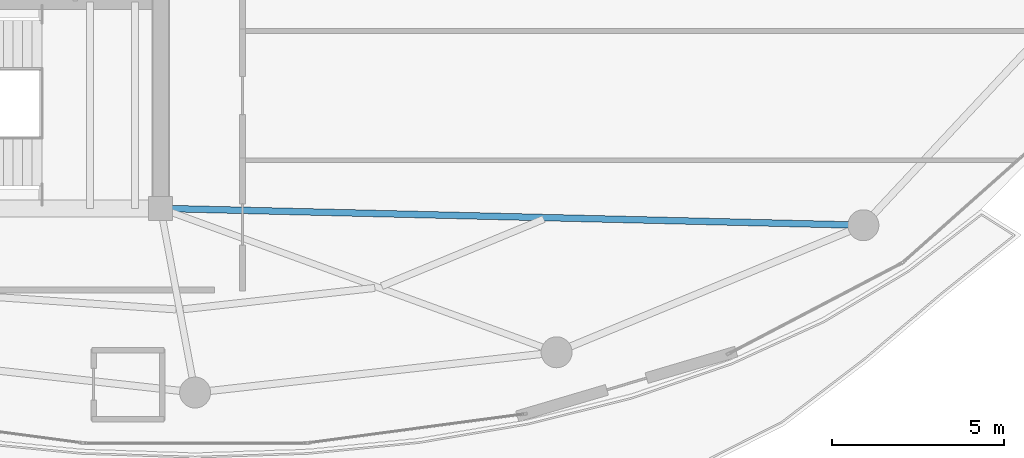
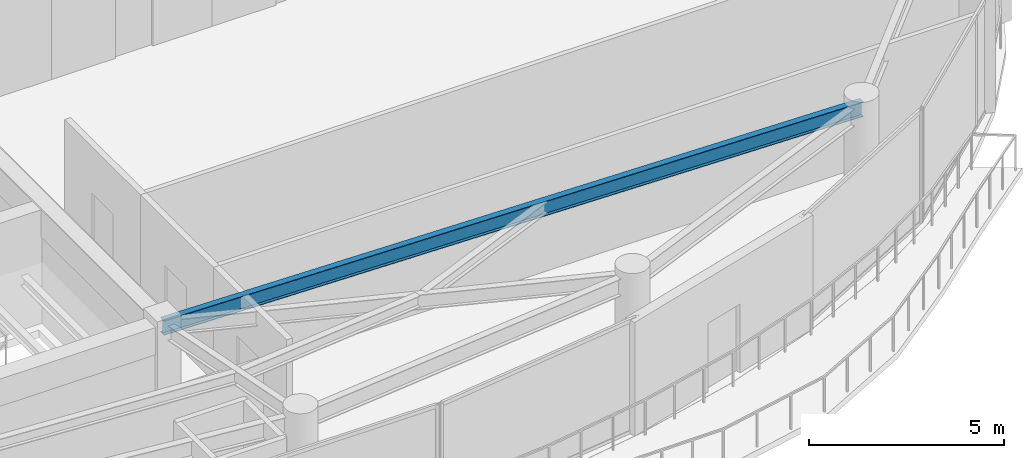
# One storey, part 12 of 29: 1 beam.
"""IFC4 building model written with IfcOpenShell, lengths in metres."""

from ifc_helpers import new_model, si_unit, direction, frame, origin, origin_2d, place, context, subcontext, project, spatial, i_section, extrude, material, material_profile, profile_set, type_object, element, save


model = new_model("IFC4")

# Units and contexts
model_context = context("Model", 3, precision=1e-05, world=origin(), true_north=direction((0.0, 1.0)))
body_context = subcontext(model_context, "Body", "Model", "MODEL_VIEW")
ifc_project = project(units=[si_unit("LENGTHUNIT", "METRE"), si_unit("AREAUNIT", "SQUARE_METRE"), si_unit("VOLUMEUNIT", "CUBIC_METRE"), si_unit("PLANEANGLEUNIT", "RADIAN"), si_unit("MASSUNIT", "GRAM", prefix="KILO")], contexts=[model_context])

# Site, building, storey
site_placement = place(None, origin())
site = spatial("IfcSite", under=ifc_project, at=site_placement, CompositionType="ELEMENT")
building_placement = place(site_placement, origin())
building = spatial("IfcBuilding", under=site, at=building_placement, Name="Kazevale Care Tower and Concert Hall", CompositionType="ELEMENT")
storey_placement = place(building_placement, frame((0.0, 0.0, 262.39990234375)))
storey = spatial("IfcBuildingStorey", under=building, at=storey_placement, Name="L69", CompositionType="ELEMENT", Elevation=262.39990234375)

# Beam
ifc_material = material(Name="Steel ASTM A572 Gr 50", Category="steel")
ifc_material_profile = material_profile(ifc_material, i_section(OverallWidth=0.19091796875, OverallDepth=0.4599609375, WebThickness=0.010009765625, FlangeThickness=0.01611328125, at=origin_2d()), Name="W460x82")
ifc_profile_set = profile_set([ifc_material_profile], Name="Steel ASTM A572 Gr 50")
beam_type = type_object("IfcBeamType", Name="Radial Floor Beam W460x82", PredefinedType="BEAM", material=ifc_profile_set)
beam_placement = place(storey_placement, frame((44.0, 23.60009765625, 3.330078125), z_axis=(0.999711945342, -0.024000548742, 0.0), x_axis=(0.024000548742, 0.999711945342, 0.0)))
element("IfcBeam", 1, at=beam_placement, inside=storey, type_object=beam_type, Name="beam:L69:rad:15", PredefinedType="BEAM", context=body_context, shape_type="SweptSolid", body=[
    extrude(i_section(OverallWidth=0.19091796875, OverallDepth=0.4599609375, WebThickness=0.010009765625, FlangeThickness=0.01611328125, at=origin_2d()), origin(), (0.0, 0.0, 1.0), 20.415771484375),
])

save(model, "model.ifc")
